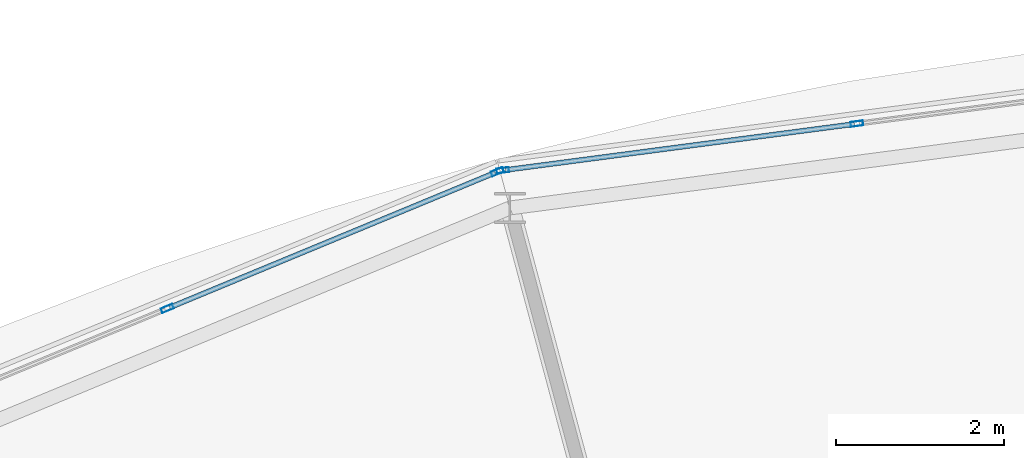
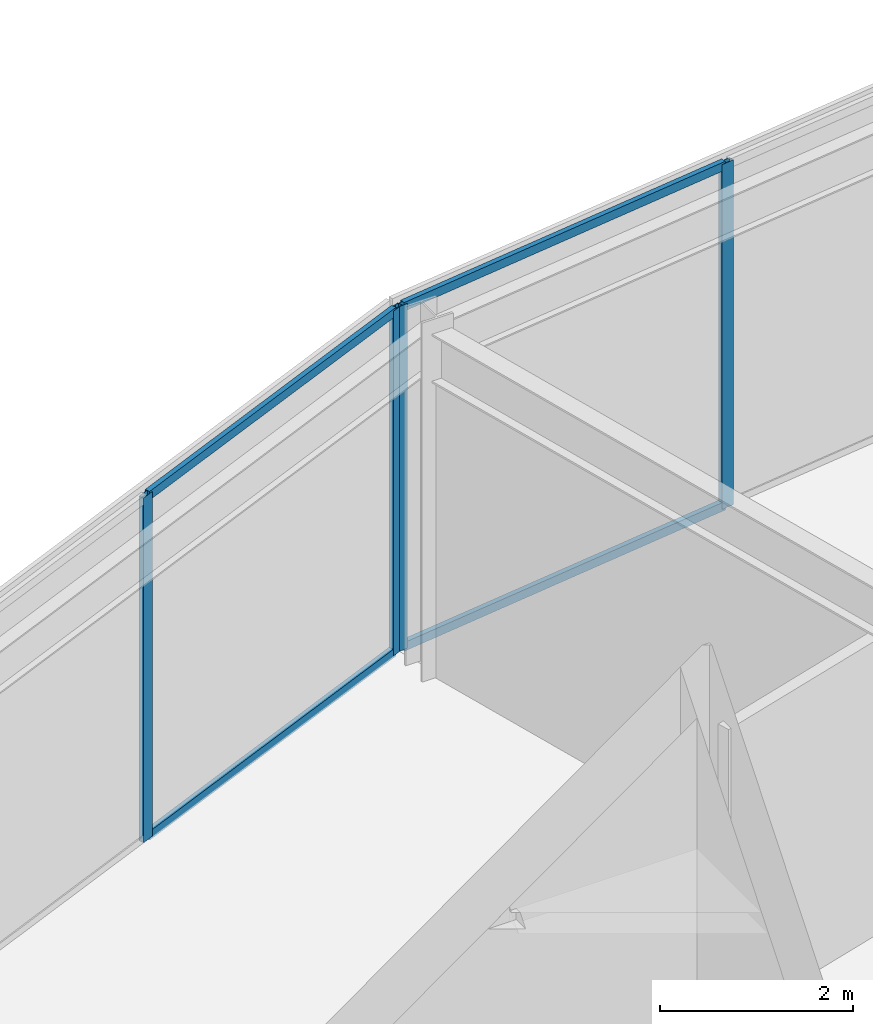
# One storey, part 87 of 157: 8 members, 2 elements without a shape of their own.
"""IFC4 building model written with IfcOpenShell, lengths in metres."""

from ifc_helpers import new_model, si_unit, direction, frame, origin, origin_2d, place, context, subcontext, project, spatial, hollow_rectangle, extrude, material, material_profile, profile_set, type_object, element, aggregate, save


model = new_model("IFC4")

# Units and contexts
model_context = context("Model", 3, precision=1e-05, world=origin(), true_north=direction((0.0, 1.0)))
body_context = subcontext(model_context, "Body", "Model", "MODEL_VIEW")
ifc_project = project(units=[si_unit("LENGTHUNIT", "METRE"), si_unit("AREAUNIT", "SQUARE_METRE"), si_unit("VOLUMEUNIT", "CUBIC_METRE"), si_unit("PLANEANGLEUNIT", "RADIAN"), si_unit("MASSUNIT", "GRAM", prefix="KILO")], contexts=[model_context])

# Site, building, storey
site_placement = place(None, origin())
site = spatial("IfcSite", under=ifc_project, at=site_placement, CompositionType="ELEMENT")
building_placement = place(site_placement, origin())
building = spatial("IfcBuilding", under=site, at=building_placement, Name="Almandine Court Research Institute", CompositionType="ELEMENT")
storey_placement = place(building_placement, frame((0.0, 0.0, 5.25)))
storey = spatial("IfcBuildingStorey", under=building, at=storey_placement, Name="L01", CompositionType="ELEMENT", Elevation=5.25)

# Curtain wall, members
ifc_material_1 = material(Name="Unitised Curtain Wall Framing and Solar Glazing", Category="glass")
curtain_wall_type = type_object("IfcCurtainWallType", Name="CW-CWG-20", PredefinedType="USERDEFINED", material=ifc_material_1)
curtain_wall_1_placement = place(storey_placement, origin())
curtain_wall_1 = element("IfcCurtainWall", 1, at=curtain_wall_1_placement, inside=storey, type_object=curtain_wall_type, Name="L01 Stacked-Ring Drum Outer Unitised Glazing 06", ObjectType="UNITISED GLAZING", PredefinedType="USERDEFINED")
ifc_material_2 = material(Name="Anodised Aluminium AW-6063-T6", Category="aluminium")
ifc_material_profile_1 = material_profile(ifc_material_2, hollow_rectangle(XDim=0.06005859375, YDim=0.14990234375, WallThickness=0.00390625, at=origin_2d()), Name="ALU RHS 60x150x4")
ifc_profile_set_1 = profile_set([ifc_material_profile_1], Name="Anodised Aluminium AW-6063-T6")
member_type_1 = type_object("IfcMemberType", Name="CWMul-60x150", PredefinedType="MULLION", material=ifc_profile_set_1)
member_1_placement = place(storey_placement, frame((74.2587890625, 103.682861328125, 0.0), z_axis=(0.0, 0.0, 1.0), x_axis=(-0.130540891259, 0.991442926098, 0.0)))
member_1 = element("IfcMember", 2, at=member_1_placement, type_object=member_type_1, Name="CWG-20 mullion 1", PredefinedType="MULLION", context=body_context, shape_type="SweptSolid", body=[
    extrude(hollow_rectangle(XDim=0.06005859375, YDim=0.14990234375, WallThickness=0.00390625, at=origin_2d()), origin(), (0.0, 0.0, 1.0), 4.3701171875),
])
member_2_placement = place(storey_placement, frame((78.484619140625, 104.2392578125, 0.0), z_axis=(0.0, 0.0, 1.0), x_axis=(-0.130540891259, 0.991442926098, 0.0)))
member_2 = element("IfcMember", 3, at=member_2_placement, type_object=member_type_1, Name="CWG-20 mullion 2", PredefinedType="MULLION", context=body_context, shape_type="SweptSolid", body=[
    extrude(hollow_rectangle(XDim=0.06005859375, YDim=0.14990234375, WallThickness=0.00390625, at=origin_2d()), origin(), (0.0, 0.0, 1.0), 4.3701171875),
])

curtain_wall_2_placement = place(storey_placement, origin())
curtain_wall_2 = element("IfcCurtainWall", 4, at=curtain_wall_2_placement, inside=storey, type_object=curtain_wall_type, Name="L01 Stacked-Ring Drum Outer Unitised Glazing 07", ObjectType="UNITISED GLAZING", PredefinedType="USERDEFINED")
member_3_placement = place(storey_placement, frame((70.2548828125, 102.034423828125, 0.0), z_axis=(0.0, 0.0, 1.0), x_axis=(-0.382662689242, 0.923888124321, 0.0)))
member_3 = element("IfcMember", 5, at=member_3_placement, type_object=member_type_1, Name="CWG-20 mullion 3", PredefinedType="MULLION", context=body_context, shape_type="SweptSolid", body=[
    extrude(hollow_rectangle(XDim=0.06005859375, YDim=0.14990234375, WallThickness=0.00390625, at=origin_2d()), origin(), (0.0, 0.0, 1.0), 4.3701171875),
])
member_4_placement = place(storey_placement, frame((74.193359375, 103.66552734375, 0.0), z_axis=(0.0, 0.0, 1.0), x_axis=(-0.382662689242, 0.923888124321, 0.0)))
member_4 = element("IfcMember", 6, at=member_4_placement, type_object=member_type_1, Name="CWG-20 mullion 4", PredefinedType="MULLION", context=body_context, shape_type="SweptSolid", body=[
    extrude(hollow_rectangle(XDim=0.06005859375, YDim=0.14990234375, WallThickness=0.00390625, at=origin_2d()), origin(), (0.0, 0.0, 1.0), 4.3701171875),
])

# Member
ifc_material_profile_2 = material_profile(ifc_material_2, hollow_rectangle(XDim=0.06005859375, YDim=0.110107421875, WallThickness=0.00390625, at=origin_2d()), Name="ALU RHS 60x110x4")
ifc_profile_set_2 = profile_set([ifc_material_profile_2], Name="Anodised Aluminium AW-6063-T6")
member_type_2 = type_object("IfcMemberType", Name="CWTrn-60x110", PredefinedType="NOTDEFINED", material=ifc_profile_set_2)
member_5_placement = place(storey_placement, frame((74.28857421875, 103.686767578125, 0.030029296875), z_axis=(0.991442228753, 0.130546187402, 0.0), x_axis=(-0.130546187402, 0.991442228753, 0.0)))
member_5 = element("IfcMember", 7, at=member_5_placement, type_object=member_type_2, Name="CWG-20 transom 1.1", ObjectType="TRANSOM", PredefinedType="USERDEFINED", context=body_context, shape_type="SweptSolid", body=[
    extrude(hollow_rectangle(XDim=0.06005859375, YDim=0.110107421875, WallThickness=0.00390625, at=origin_2d()), origin(), (0.0, 0.0, 1.0), 4.2021484375),
])

member_6_placement = place(storey_placement, frame((74.28857421875, 103.686767578125, 4.340087890625), z_axis=(0.991442228753, 0.130546187402, 0.0), x_axis=(-0.130546187402, 0.991442228753, 0.0)))
member_6 = element("IfcMember", 8, at=member_6_placement, type_object=member_type_2, Name="CWG-20 transom 1.2", ObjectType="TRANSOM", PredefinedType="USERDEFINED", context=body_context, shape_type="SweptSolid", body=[
    extrude(hollow_rectangle(XDim=0.06005859375, YDim=0.110107421875, WallThickness=0.00390625, at=origin_2d()), origin(), (0.0, 0.0, 1.0), 4.2021484375),
])

aggregate(curtain_wall_1, [member_1, member_2, member_5, member_6])

member_7_placement = place(storey_placement, frame((70.28271484375, 102.0458984375, 0.030029296875), z_axis=(0.923892933282, 0.382651078441, 0.0), x_axis=(-0.382651078441, 0.923892933282, 0.0)))
member_7 = element("IfcMember", 9, at=member_7_placement, type_object=member_type_2, Name="CWG-20 transom 3.1", ObjectType="TRANSOM", PredefinedType="USERDEFINED", context=body_context, shape_type="SweptSolid", body=[
    extrude(hollow_rectangle(XDim=0.06005859375, YDim=0.110107421875, WallThickness=0.00390625, at=origin_2d()), origin(), (0.0, 0.0, 1.0), 4.20263671875),
])

member_8_placement = place(storey_placement, frame((70.28271484375, 102.0458984375, 4.340087890625), z_axis=(0.923892933282, 0.382651078441, 0.0), x_axis=(-0.382651078441, 0.923892933282, 0.0)))
member_8 = element("IfcMember", 10, at=member_8_placement, type_object=member_type_2, Name="CWG-20 transom 3.2", ObjectType="TRANSOM", PredefinedType="USERDEFINED", context=body_context, shape_type="SweptSolid", body=[
    extrude(hollow_rectangle(XDim=0.06005859375, YDim=0.110107421875, WallThickness=0.00390625, at=origin_2d()), origin(), (0.0, 0.0, 1.0), 4.20263671875),
])

aggregate(curtain_wall_2, [member_3, member_4, member_7, member_8])

save(model, "model.ifc")
